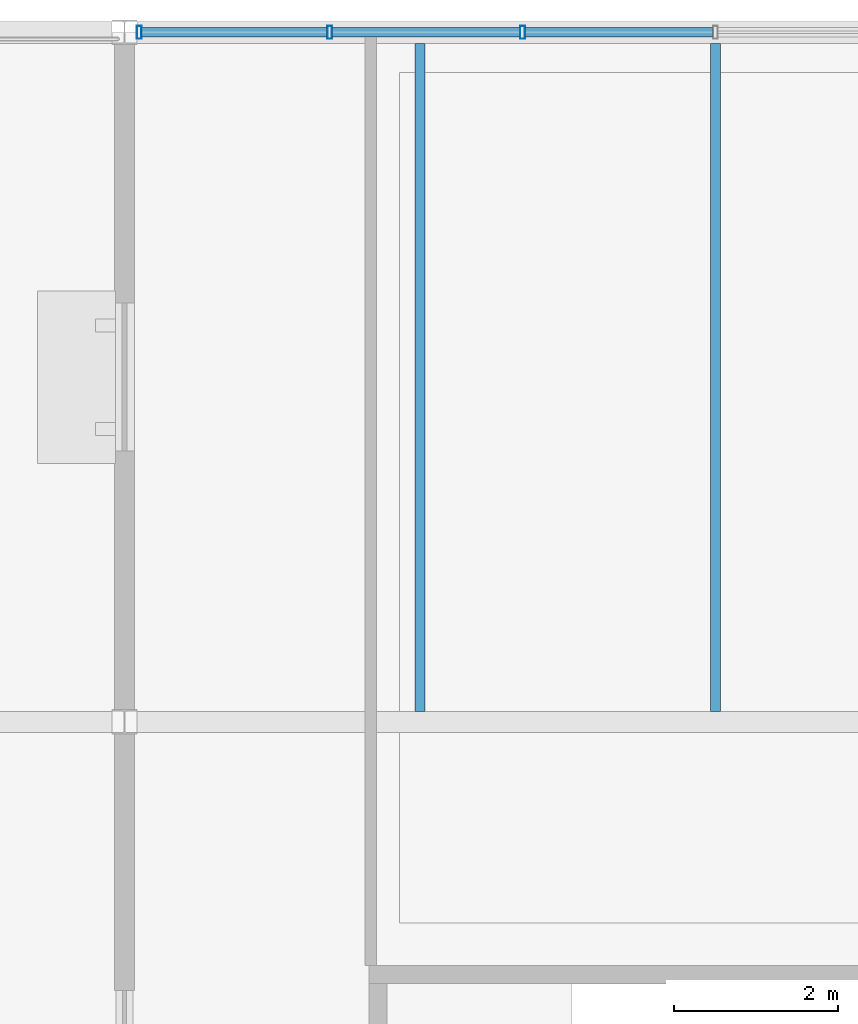
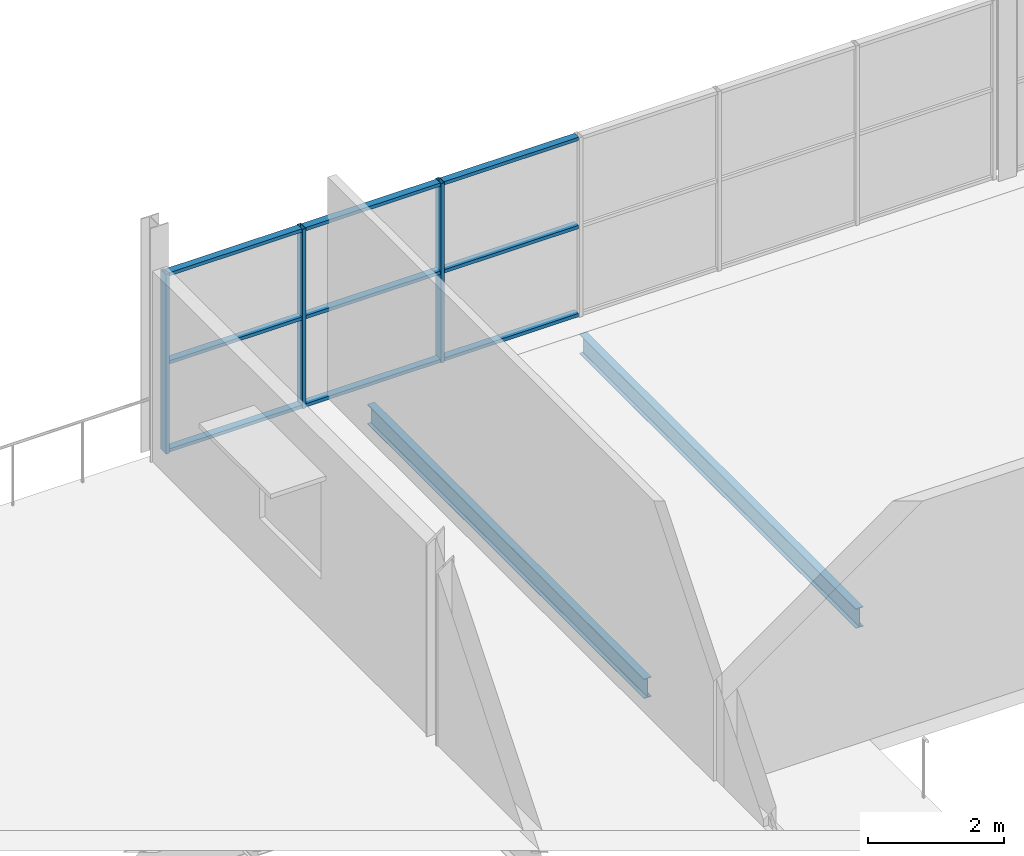
# One storey, part 31 of 68: 12 members, 2 beams, 1 element without a shape of its own.
"""IFC4 building model written with IfcOpenShell, lengths in metres."""

from ifc_helpers import new_model, si_unit, direction, frame, origin, origin_2d, place, context, subcontext, project, spatial, hollow_rectangle, i_section, extrude, material, material_profile, profile_set, type_object, element, aggregate, save


model = new_model("IFC4")

# Units and contexts
model_context = context("Model", 3, precision=1e-05, world=origin(), true_north=direction((0.0, 1.0)))
body_context = subcontext(model_context, "Body", "Model", "MODEL_VIEW")
ifc_project = project(units=[si_unit("LENGTHUNIT", "METRE"), si_unit("AREAUNIT", "SQUARE_METRE"), si_unit("VOLUMEUNIT", "CUBIC_METRE"), si_unit("PLANEANGLEUNIT", "RADIAN"), si_unit("MASSUNIT", "GRAM", prefix="KILO"), si_unit("THERMODYNAMICTEMPERATUREUNIT", "KELVIN")], contexts=[model_context])

# Site, building, storey
site_placement = place(None, origin())
site = spatial("IfcSite", under=ifc_project, at=site_placement, CompositionType="ELEMENT")
building_placement = place(site_placement, origin())
building = spatial("IfcBuilding", under=site, at=building_placement, Name="Nduvali Passage Aquatics Centre", CompositionType="ELEMENT")
storey_placement = place(building_placement, frame((0.0, 0.0, 13.199951171875)))
storey = spatial("IfcBuildingStorey", under=building, at=storey_placement, Name="L03", CompositionType="ELEMENT", Elevation=13.199951171875)

# Curtain wall, members
ifc_material_1 = material(Name="Aluminium EN AW-6063 T6", Category="aluminium")
curtain_wall_type = type_object("IfcCurtainWallType", Name="ENV-CW-WELL", PredefinedType="NOTDEFINED", material=ifc_material_1)
curtain_wall_placement = place(storey_placement, origin())
curtain_wall = element("IfcCurtainWall", 1, at=curtain_wall_placement, inside=storey, type_object=curtain_wall_type, Name="L03 North Avenue Teaching CW 102", PredefinedType="NOTDEFINED")
ifc_material_profile_1 = material_profile(ifc_material_1, hollow_rectangle(XDim=0.06005859375, YDim=0.159912109375, WallThickness=0.00390625, at=origin_2d()), Name="ALU MULLION 60x160x4")
ifc_profile_set_1 = profile_set([ifc_material_profile_1], Name="Aluminium EN AW-6063 T6")
member_type_1 = type_object("IfcMemberType", Name="ENV-MEM-MUL60", PredefinedType="MULLION", material=ifc_profile_set_1)
member_1_placement = place(storey_placement, frame((54.179931640625, 117.60009765625, 0.0), z_axis=(0.0, 0.0, 1.0), x_axis=(1.0, 0.0, 0.0)))
member_1 = element("IfcMember", 2, at=member_1_placement, type_object=member_type_1, Name="North Avenue Teaching CW Mullion 1", PredefinedType="MULLION", context=body_context, shape_type="SweptSolid", body=[
    extrude(hollow_rectangle(XDim=0.06005859375, YDim=0.159912109375, WallThickness=0.00390625, at=origin_2d()), origin(), (0.0, 0.0, 1.0), 3.223876953125),
])
member_2_placement = place(storey_placement, frame((56.5, 117.60009765625, 0.0), z_axis=(0.0, 0.0, 1.0), x_axis=(1.0, 0.0, 0.0)))
member_2 = element("IfcMember", 3, at=member_2_placement, type_object=member_type_1, Name="North Avenue Teaching CW Mullion 2", PredefinedType="MULLION", context=body_context, shape_type="SweptSolid", body=[
    extrude(hollow_rectangle(XDim=0.06005859375, YDim=0.159912109375, WallThickness=0.00390625, at=origin_2d()), origin(), (0.0, 0.0, 1.0), 3.223876953125),
])
member_3_placement = place(storey_placement, frame((58.85009765625, 117.60009765625, 0.0), z_axis=(0.0, 0.0, 1.0), x_axis=(1.0, 0.0, 0.0)))
member_3 = element("IfcMember", 4, at=member_3_placement, type_object=member_type_1, Name="North Avenue Teaching CW Mullion 3", PredefinedType="MULLION", context=body_context, shape_type="SweptSolid", body=[
    extrude(hollow_rectangle(XDim=0.06005859375, YDim=0.159912109375, WallThickness=0.00390625, at=origin_2d()), origin(), (0.0, 0.0, 1.0), 3.223876953125),
])
ifc_material_profile_2 = material_profile(ifc_material_1, hollow_rectangle(XDim=0.1201171875, YDim=0.06005859375, WallThickness=0.00390625, at=origin_2d()), Name="ALU TRANSOM 120x60x4")
ifc_profile_set_2 = profile_set([ifc_material_profile_2], Name="Aluminium EN AW-6063 T6")
member_type_2 = type_object("IfcMemberType", Name="ENV-MEM-TRN60", PredefinedType="USERDEFINED", material=ifc_profile_set_2)
member_4_placement = place(storey_placement, frame((54.2099609375, 117.60009765625, 0.030029296875), z_axis=(1.0, 0.0, 0.0), x_axis=(0.0, 1.0, 0.0)))
member_4 = element("IfcMember", 5, at=member_4_placement, type_object=member_type_2, Name="North Avenue Teaching CW Transom B1-R0", ObjectType="TRANSOM", PredefinedType="USERDEFINED", context=body_context, shape_type="SweptSolid", body=[
    extrude(hollow_rectangle(XDim=0.1201171875, YDim=0.06005859375, WallThickness=0.00390625, at=origin_2d()), origin(), (0.0, 0.0, 1.0), 2.260009765625),
])
member_5_placement = place(storey_placement, frame((54.2099609375, 117.60009765625, 1.612060546875), z_axis=(1.0, 0.0, 0.0), x_axis=(0.0, 1.0, 0.0)))
member_5 = element("IfcMember", 6, at=member_5_placement, type_object=member_type_2, Name="North Avenue Teaching CW Transom B1-R1", ObjectType="TRANSOM", PredefinedType="USERDEFINED", context=body_context, shape_type="SweptSolid", body=[
    extrude(hollow_rectangle(XDim=0.1201171875, YDim=0.06005859375, WallThickness=0.00390625, at=origin_2d()), origin(), (0.0, 0.0, 1.0), 2.260009765625),
])
member_6_placement = place(storey_placement, frame((54.2099609375, 117.60009765625, 3.19384765625), z_axis=(1.0, 0.0, 0.0), x_axis=(0.0, 1.0, 0.0)))
member_6 = element("IfcMember", 7, at=member_6_placement, type_object=member_type_2, Name="North Avenue Teaching CW Transom B1-R2", ObjectType="TRANSOM", PredefinedType="USERDEFINED", context=body_context, shape_type="SweptSolid", body=[
    extrude(hollow_rectangle(XDim=0.1201171875, YDim=0.06005859375, WallThickness=0.00390625, at=origin_2d()), origin(), (0.0, 0.0, 1.0), 2.260009765625),
])
member_7_placement = place(storey_placement, frame((56.530029296875, 117.60009765625, 0.030029296875), z_axis=(1.0, 0.0, 0.0), x_axis=(0.0, 1.0, 0.0)))
member_7 = element("IfcMember", 8, at=member_7_placement, type_object=member_type_2, Name="North Avenue Teaching CW Transom B2-R0", ObjectType="TRANSOM", PredefinedType="USERDEFINED", context=body_context, shape_type="SweptSolid", body=[
    extrude(hollow_rectangle(XDim=0.1201171875, YDim=0.06005859375, WallThickness=0.00390625, at=origin_2d()), origin(), (0.0, 0.0, 1.0), 2.2900390625),
])
member_8_placement = place(storey_placement, frame((56.530029296875, 117.60009765625, 1.612060546875), z_axis=(1.0, 0.0, 0.0), x_axis=(0.0, 1.0, 0.0)))
member_8 = element("IfcMember", 9, at=member_8_placement, type_object=member_type_2, Name="North Avenue Teaching CW Transom B2-R1", ObjectType="TRANSOM", PredefinedType="USERDEFINED", context=body_context, shape_type="SweptSolid", body=[
    extrude(hollow_rectangle(XDim=0.1201171875, YDim=0.06005859375, WallThickness=0.00390625, at=origin_2d()), origin(), (0.0, 0.0, 1.0), 2.2900390625),
])
member_9_placement = place(storey_placement, frame((56.530029296875, 117.60009765625, 3.19384765625), z_axis=(1.0, 0.0, 0.0), x_axis=(0.0, 1.0, 0.0)))
member_9 = element("IfcMember", 10, at=member_9_placement, type_object=member_type_2, Name="North Avenue Teaching CW Transom B2-R2", ObjectType="TRANSOM", PredefinedType="USERDEFINED", context=body_context, shape_type="SweptSolid", body=[
    extrude(hollow_rectangle(XDim=0.1201171875, YDim=0.06005859375, WallThickness=0.00390625, at=origin_2d()), origin(), (0.0, 0.0, 1.0), 2.2900390625),
])
member_10_placement = place(storey_placement, frame((58.8798828125, 117.60009765625, 0.030029296875), z_axis=(1.0, 0.0, 0.0), x_axis=(0.0, 1.0, 0.0)))
member_10 = element("IfcMember", 11, at=member_10_placement, type_object=member_type_2, Name="North Avenue Teaching CW Transom B3-R0", ObjectType="TRANSOM", PredefinedType="USERDEFINED", context=body_context, shape_type="SweptSolid", body=[
    extrude(hollow_rectangle(XDim=0.1201171875, YDim=0.06005859375, WallThickness=0.00390625, at=origin_2d()), origin(), (0.0, 0.0, 1.0), 2.2900390625),
])
member_11_placement = place(storey_placement, frame((58.8798828125, 117.60009765625, 1.612060546875), z_axis=(1.0, 0.0, 0.0), x_axis=(0.0, 1.0, 0.0)))
member_11 = element("IfcMember", 12, at=member_11_placement, type_object=member_type_2, Name="North Avenue Teaching CW Transom B3-R1", ObjectType="TRANSOM", PredefinedType="USERDEFINED", context=body_context, shape_type="SweptSolid", body=[
    extrude(hollow_rectangle(XDim=0.1201171875, YDim=0.06005859375, WallThickness=0.00390625, at=origin_2d()), origin(), (0.0, 0.0, 1.0), 2.2900390625),
])
member_12_placement = place(storey_placement, frame((58.8798828125, 117.60009765625, 3.19384765625), z_axis=(1.0, 0.0, 0.0), x_axis=(0.0, 1.0, 0.0)))
member_12 = element("IfcMember", 13, at=member_12_placement, type_object=member_type_2, Name="North Avenue Teaching CW Transom B3-R2", ObjectType="TRANSOM", PredefinedType="USERDEFINED", context=body_context, shape_type="SweptSolid", body=[
    extrude(hollow_rectangle(XDim=0.1201171875, YDim=0.06005859375, WallThickness=0.00390625, at=origin_2d()), origin(), (0.0, 0.0, 1.0), 2.2900390625),
])
aggregate(curtain_wall, [member_1, member_2, member_3, member_4, member_5, member_6, member_7, member_8, member_9, member_10, member_11, member_12])

# Beams
ifc_material_2 = material(Name="Steel S355", Category="steel")
ifc_material_profile_3 = material_profile(ifc_material_2, i_section(OverallWidth=0.1259765625, OverallDepth=0.353515625, WebThickness=0.006591796875, FlangeThickness=0.0107421875, FilletRadius=0.01025390625, at=origin_2d()), Name="UKB 356x127x39")
ifc_profile_set_3 = profile_set([ifc_material_profile_3], Name="Steel S355")
beam_type = type_object("IfcBeamType", Name="STR-JST-UKB356L", PredefinedType="JOIST", material=ifc_profile_set_3)
for number, where, z_axis, x_axis, name in (
    (14, (57.60009765625, 109.326904296875, -0.4306640625), (0.0, 1.0, 0.0), (-1.0, 0.0, 0.0), "L03 Secondary Joist J2A-1306"),
    (15, (61.199951171875, 109.326904296875, -0.4306640625), (0.0, 1.0, 0.0), (-1.0, 0.0, 0.0), "L03 Secondary Joist J2A-1307"),
):
    element("IfcBeam", number, at=place(storey_placement, frame(where, z_axis=z_axis, x_axis=x_axis)), inside=storey, type_object=beam_type, Name=name, PredefinedType="JOIST", context=body_context, shape_type="SweptSolid", body=[
        extrude(i_section(OverallWidth=0.1259765625, OverallDepth=0.353515625, WebThickness=0.006591796875, FlangeThickness=0.0107421875, FilletRadius=0.01025390625, at=origin_2d()), origin(), (0.0, 0.0, 1.0), 8.139892578125),
    ])

save(model, "model.ifc")
